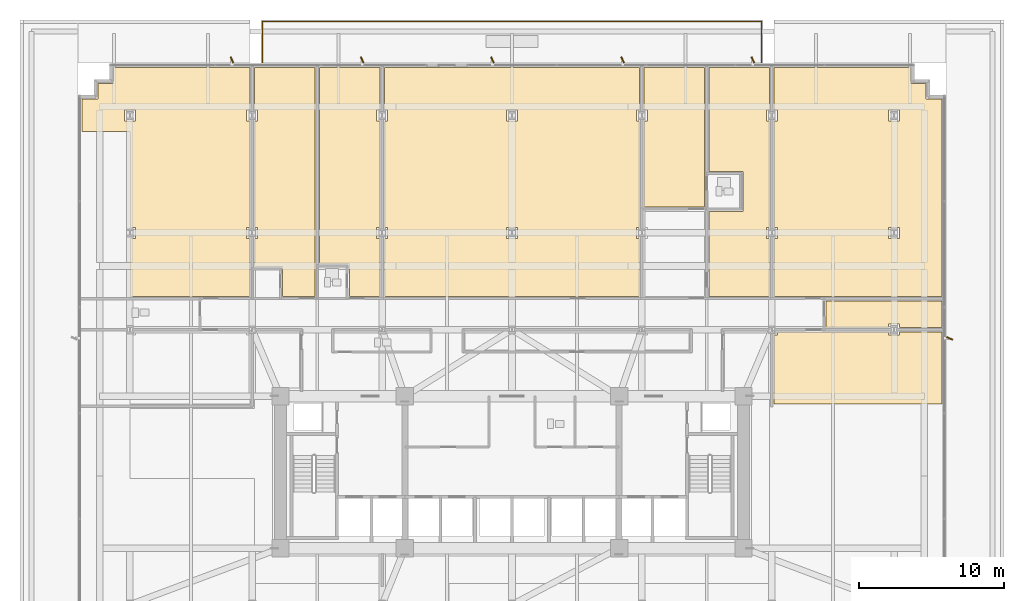
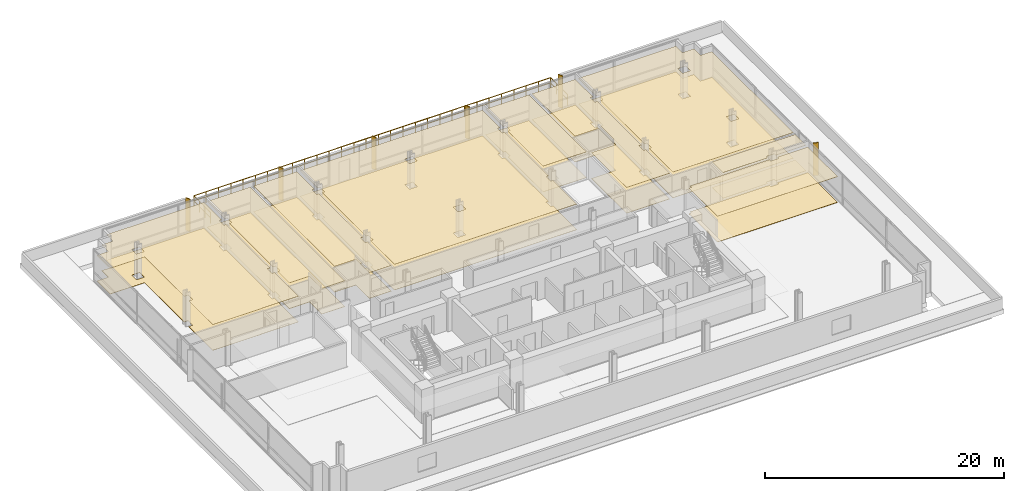
# One storey, part 24 of 25: 18 coverings, 6 shading devices, 3 railings.
"""IFC4 building model written with IfcOpenShell, lengths in metres."""

import ifcopenshell
import ifcopenshell.guid

model = None  # the IFC model being written
_history = None  # IfcOwnerHistory: only IFC2X3 demands one
_inside = {}  # id of a spatial element -> (the spatial element, [elements in it])
_under = {}  # id of a project, library or spatial element -> (it, [spatial elements below it])
_declared = {}  # id of a project -> (the project, [libraries it declares])
_typed = {}  # id of a type object -> (the type object, [elements of that type])
_made_of = {}  # id of a material, layer set ... -> (it, [elements and type objects made of it])


def new_model(schema):
    """Start an empty IFC model of exactly this schema.

    Asked for "IFC4X3", IfcOpenShell would pick the latest addendum, in which some entities
    have other attributes; the version numbers below select the first issue.
    IFC2X3 requires an IfcOwnerHistory on every rooted entity: one is made here for all.
    """
    global model, _history
    if schema == "IFC4X3":
        model = ifcopenshell.file(schema_version=(4, 3, 0, 0))
    else:
        model = ifcopenshell.file(schema=schema)
    _inside.clear()
    _under.clear()
    _declared.clear()
    _typed.clear()
    _made_of.clear()
    _history = None
    if model.schema == "IFC2X3":
        org = make("IfcOrganization", Name="unknown")
        user = make(
            "IfcPersonAndOrganization",
            ThePerson=make("IfcPerson", FamilyName="unknown"),
            TheOrganization=org,
        )
        app = make(
            "IfcApplication",
            ApplicationDeveloper=org,
            Version="unknown",
            ApplicationFullName="unknown",
            ApplicationIdentifier="unknown",
        )
        _history = make(
            "IfcOwnerHistory",
            OwningUser=user,
            OwningApplication=app,
            ChangeAction="ADDED",
            CreationDate=0,
        )
    return model


def make(cls, **values):
    """One entity of the class cls with the attributes given. An attribute that is None is left unset."""
    return model.create_entity(
        cls, **{name: value for name, value in values.items() if value is not None}
    )


def rooted(cls, **values):
    """An entity with a GlobalId (a new one), such as an element, a storey or a relation."""
    return make(cls, GlobalId=ifcopenshell.guid.new(), OwnerHistory=_history, **values)


def si_unit(unit_type, name, prefix=None):
    """IfcSIUnit, for example si_unit("LENGTHUNIT", "METRE", prefix="MILLI")."""
    return make("IfcSIUnit", UnitType=unit_type, Prefix=prefix, Name=name)


def assignment(units):
    """IfcUnitAssignment: the units of a project."""
    return None if units is None else make("IfcUnitAssignment", Units=units)


def point(xyz):
    """IfcCartesianPoint."""
    return None if xyz is None else make("IfcCartesianPoint", Coordinates=xyz)


def direction(xyz):
    """IfcDirection."""
    return None if xyz is None else make("IfcDirection", DirectionRatios=xyz)


def frame(location, z_axis=None, x_axis=None):
    """IfcAxis2Placement3D, a coordinate frame: its origin and axes. An axis left out is left unset."""
    return make(
        "IfcAxis2Placement3D",
        Location=point(location),
        Axis=direction(z_axis),
        RefDirection=direction(x_axis),
    )


def frame_2d(location, x_axis=None):
    """IfcAxis2Placement2D, a coordinate frame in the plane: its origin and x axis."""
    return make(
        "IfcAxis2Placement2D", Location=point(location), RefDirection=direction(x_axis)
    )


def origin():
    """The frame at (0, 0, 0) with its axes left unset."""
    return frame((0.0, 0.0, 0.0))


def origin_2d():
    """The frame at (0, 0) in the plane with its x axis left unset."""
    return frame_2d((0.0, 0.0))


def place(relative_to, where):
    """IfcLocalPlacement: puts the frame where relative to a parent placement (None: the world)."""
    return make(
        "IfcLocalPlacement", PlacementRelTo=relative_to, RelativePlacement=where
    )


def context(
    kind, dimensions, precision=None, world=None, true_north=None, identifier=None
):
    """IfcGeometricRepresentationContext, for example the 3D "Model" context."""
    return make(
        "IfcGeometricRepresentationContext",
        ContextIdentifier=identifier,
        ContextType=kind,
        CoordinateSpaceDimension=dimensions,
        Precision=precision,
        WorldCoordinateSystem=world,
        TrueNorth=true_north,
    )


def subcontext(parent, identifier, kind, view, scale=None):
    """IfcGeometricRepresentationSubContext, for example "Body" below "Model"."""
    return make(
        "IfcGeometricRepresentationSubContext",
        ContextIdentifier=identifier,
        ContextType=kind,
        ParentContext=parent,
        TargetScale=scale,
        TargetView=view,
    )


def project(units=None, contexts=None):
    """IfcProject with its units and contexts."""
    return rooted(
        "IfcProject",
        Name="project",
        RepresentationContexts=contexts,
        UnitsInContext=assignment(units),
    )


def spatial(cls, under=None, at=None, **own):
    """A site, building, storey or space (cls), placed at a placement, below another one or the project."""
    s = rooted(cls, ObjectPlacement=at, **own)
    if under is not None:
        _under.setdefault(under.id(), (under, []))[1].append(s)
    return s


def polyline(points):
    """IfcPolyline through the points."""
    return make("IfcPolyline", Points=[point(p) for p in points])


def profile(cls, at=None, kind="AREA", **sizes):
    """A parametric profile (cls). Its sizes go by their IFC names, for example OverallWidth=200.0."""
    return make(cls, ProfileType=kind, Position=at, **sizes)


def rectangle(**sizes):
    """IfcRectangleProfileDef."""
    return profile("IfcRectangleProfileDef", **sizes)


def circle(**sizes):
    """IfcCircleProfileDef."""
    return profile("IfcCircleProfileDef", **sizes)


def outline(outer, holes=None, kind="AREA"):
    """IfcArbitraryClosedProfileDef: a profile drawn as a closed curve; with holes, ...WithVoids."""
    if holes is None:
        return make("IfcArbitraryClosedProfileDef", ProfileType=kind, OuterCurve=outer)
    return make(
        "IfcArbitraryProfileDefWithVoids",
        ProfileType=kind,
        OuterCurve=outer,
        InnerCurves=holes,
    )


def extrude(swept, where, along, depth):
    """IfcExtrudedAreaSolid: the profile swept, set in the frame where, extruded along a direction by depth."""
    return make(
        "IfcExtrudedAreaSolid",
        SweptArea=swept,
        Position=where,
        ExtrudedDirection=direction(along),
        Depth=depth,
    )


def shape(context_of_items, identifier, shape_type, items):
    """IfcShapeRepresentation: the items that make up one representation, for example the "Body"."""
    return make(
        "IfcShapeRepresentation",
        ContextOfItems=context_of_items,
        RepresentationIdentifier=identifier,
        RepresentationType=shape_type,
        Items=items,
    )


def material(Name=None, Category=None):
    """IfcMaterial."""
    return make("IfcMaterial", Name=Name, Category=Category)


def layer(
    of_material, thickness, ventilated=None, Name=None, Category=None, Priority=None
):
    """IfcMaterialLayer: one layer of a wall or slab, of a material (None: an air gap)."""
    return make(
        "IfcMaterialLayer",
        Material=of_material,
        LayerThickness=thickness,
        IsVentilated=ventilated,
        Name=Name,
        Category=Category,
        Priority=Priority,
    )


def layer_set(layers, Name=None):
    """IfcMaterialLayerSet."""
    return make("IfcMaterialLayerSet", MaterialLayers=layers, LayerSetName=Name)


def made_of(thing, what):
    """Note that an element or type object is made of a material, layer set ...; save() writes the relation."""
    if what is not None:
        _made_of.setdefault(what.id(), (what, []))[1].append(thing)
    return thing


def type_object(cls, material=None, **own):
    """A type object (cls), such as IfcWallType, which elements share."""
    return made_of(rooted(cls, **own), material)


def element(
    cls,
    number,
    at=None,
    inside=None,
    cuts=None,
    type_object=None,
    material=None,
    context=None,
    identifier="Body",
    shape_type=None,
    held_by="IfcProductDefinitionShape",
    body=None,
    shapes=None,
    **own,
):
    """One element of the class cls, such as IfcWall. Its Tag is "e" and its number.

    at: its placement. inside: the storey or other place that contains it. cuts: it is an
    opening in that element (IfcRelVoidsElement). A single representation is given by context,
    identifier, shape_type and body (its items); several are given by shapes. held_by: the class
    of the entity that holds the representations. save() writes the other relations.
    """
    e = rooted(cls, Tag="e%d" % number, ObjectPlacement=at, **own)
    if body is not None:
        shapes = [shape(context, identifier, shape_type, body)]
    if shapes is not None:
        e.Representation = make(held_by, Representations=shapes)
    if inside is not None:
        _inside.setdefault(inside.id(), (inside, []))[1].append(e)
    if cuts is not None:
        rooted(
            "IfcRelVoidsElement", RelatingBuildingElement=cuts, RelatedOpeningElement=e
        )
    if type_object is not None:
        _typed.setdefault(type_object.id(), (type_object, []))[1].append(e)
    return made_of(e, material)


def aggregate(whole, parts):
    """IfcRelAggregates: a whole, such as a stair, and the parts it consists of."""
    return rooted("IfcRelAggregates", RelatingObject=whole, RelatedObjects=parts)


def save(model, path):
    """Write the relations noted so far, then the file.

    IfcRelAggregates (storeys below a building ...), IfcRelContainedInSpatialStructure (elements
    in a storey), IfcRelDefinesByType, IfcRelAssociatesMaterial and IfcRelDeclares: one each for
    every whole, place, type object, material and project.
    """
    for whole, parts in _under.values():
        aggregate(whole, parts)
    for where, things in _inside.values():
        rooted(
            "IfcRelContainedInSpatialStructure",
            RelatedElements=things,
            RelatingStructure=where,
        )
    for kind, things in _typed.values():
        rooted("IfcRelDefinesByType", RelatedObjects=things, RelatingType=kind)
    for what, things in _made_of.values():
        rooted("IfcRelAssociatesMaterial", RelatedObjects=things, RelatingMaterial=what)
    for by, libraries in _declared.values():
        rooted("IfcRelDeclares", RelatingContext=by, RelatedDefinitions=libraries)
    model.write(path)


model = new_model("IFC4")

# Units and contexts
model_context = context("Model", 3, precision=1e-05, world=origin(), true_north=direction((0.0, 1.0)))
body_context = subcontext(model_context, "Body", "Model", "MODEL_VIEW")
ifc_project = project(units=[si_unit("LENGTHUNIT", "METRE"), si_unit("AREAUNIT", "SQUARE_METRE"), si_unit("VOLUMEUNIT", "CUBIC_METRE"), si_unit("PLANEANGLEUNIT", "RADIAN"), si_unit("MASSUNIT", "GRAM", prefix="KILO")], contexts=[model_context])

# Site, building, storey
site_placement = place(None, origin())
site = spatial("IfcSite", under=ifc_project, at=site_placement, CompositionType="ELEMENT")
building_placement = place(site_placement, origin())
building = spatial("IfcBuilding", under=site, at=building_placement, Name="Solmavex Isthmus Hotel", CompositionType="ELEMENT")
storey_placement = place(building_placement, frame((0.0, 0.0, 26.39990234375)))
storey = spatial("IfcBuildingStorey", under=building, at=storey_placement, Name="L06", CompositionType="ELEMENT", Elevation=26.39990234375)

# Coverings
ifc_material_1 = material(Name="Gypsum plasterboard lining", Category="gypsum")
ifc_layer_1 = layer(ifc_material_1, 0.030029296875)
ifc_layer_set_1 = layer_set([ifc_layer_1], Name="Gypsum plasterboard lining")
covering_type_1 = type_object("IfcCoveringType", Name="COV-CEIL-GYP", PredefinedType="CEILING", material=ifc_layer_set_1)
covering_1_placement = place(storey_placement, frame((0.0, 0.0, 2.6201171875)))
element("IfcCovering", 1, at=covering_1_placement, inside=storey, type_object=covering_type_1, Name="Suspended Acoustic Ceiling L06-RM01", PredefinedType="CEILING", context=body_context, shape_type="SweptSolid", body=[
    extrude(outline(polyline([(-21.70703125, 4.385009765625), (-21.70703125, 4.405029296875), (-18.10693359375, 4.405029296875), (-18.10693359375, 8.407958984375), (-18.33203125, 8.407958984375), (-18.33203125, 9.16796875), (-18.10693359375, 9.16796875), (-18.10693359375, 16.52001953125), (-18.33203125, 16.52001953125), (-18.33203125, 17.280029296875), (-18.10693359375, 17.280029296875), (-18.10693359375, 20.22509765625), (-27.52490234375, 20.22509765625), (-27.52490234375, 19.125), (-28.625, 19.125), (-28.625, 18.02490234375), (-29.72509765625, 18.02490234375), (-29.72509765625, 15.800048828125), (-26.39990234375, 15.800048828125), (-26.39990234375, 9.16796875), (-26.02001953125, 9.16796875), (-26.02001953125, 8.407958984375), (-26.39990234375, 8.407958984375), (-26.39990234375, 4.385009765625), (-21.70703125, 4.385009765625)]), holes=[polyline([(-26.780029296875, 17.280029296875), (-26.02001953125, 17.280029296875), (-26.02001953125, 16.52001953125), (-26.780029296875, 16.52001953125), (-26.780029296875, 17.280029296875)])]), origin(), (0.0, 0.0, 1.0), 0.030029296875),
])
covering_2_placement = place(storey_placement, frame((0.0, 0.0, 2.6201171875)))
element("IfcCovering", 2, at=covering_2_placement, inside=storey, type_object=covering_type_1, Name="Suspended Acoustic Ceiling L06-RM02", PredefinedType="CEILING", context=body_context, shape_type="SweptSolid", body=[
    extrude(outline(polyline([(-17.797119140625, 9.16796875), (-17.572021484375, 9.16796875), (-17.572021484375, 8.407958984375), (-17.797119140625, 8.407958984375), (-17.797119140625, 6.455078125), (-15.846923828125, 6.455078125), (-15.846923828125, 4.405029296875), (-13.618896484375, 4.405029296875), (-13.618896484375, 20.22509765625), (-17.797119140625, 20.22509765625), (-17.797119140625, 17.280029296875), (-17.572021484375, 17.280029296875), (-17.572021484375, 16.52001953125), (-17.797119140625, 16.52001953125), (-17.797119140625, 9.16796875)])), origin(), (0.0, 0.0, 1.0), 0.030029296875),
])
covering_3_placement = place(storey_placement, frame((0.0, 0.0, 2.6201171875)))
element("IfcCovering", 3, at=covering_3_placement, inside=storey, type_object=covering_type_1, Name="Suspended Acoustic Ceiling L06-RM03", PredefinedType="CEILING", context=body_context, shape_type="SweptSolid", body=[
    extrude(outline(polyline([(-9.131103515625, 16.52001953125), (-9.35595703125, 16.52001953125), (-9.35595703125, 17.280029296875), (-9.131103515625, 17.280029296875), (-9.131103515625, 20.22509765625), (-13.30908203125, 20.22509765625), (-13.30908203125, 6.655029296875), (-11.24462890625, 6.655029296875), (-11.24462890625, 4.405029296875), (-9.131103515625, 4.405029296875), (-9.131103515625, 8.407958984375), (-9.35595703125, 8.407958984375), (-9.35595703125, 9.16796875), (-9.131103515625, 9.16796875), (-9.131103515625, 16.52001953125)])), origin(), (0.0, 0.0, 1.0), 0.030029296875),
])
covering_4_placement = place(storey_placement, frame((0.0, 0.0, 2.6201171875)))
element("IfcCovering", 4, at=covering_4_placement, inside=storey, type_object=covering_type_1, Name="Suspended Acoustic Ceiling L06-RM04", PredefinedType="CEILING", context=body_context, shape_type="SweptSolid", body=[
    extrude(outline(polyline([(-8.821044921875, 9.16796875), (-8.595947265625, 9.16796875), (-8.595947265625, 8.407958984375), (-8.821044921875, 8.407958984375), (-8.821044921875, 4.405029296875), (8.821044921875, 4.405029296875), (8.821044921875, 8.407958984375), (8.595947265625, 8.407958984375), (8.595947265625, 9.16796875), (8.821044921875, 9.16796875), (8.821044921875, 16.52001953125), (8.595947265625, 16.52001953125), (8.595947265625, 17.280029296875), (8.821044921875, 17.280029296875), (8.821044921875, 20.22509765625), (-8.821044921875, 20.22509765625), (-8.821044921875, 17.280029296875), (-8.595947265625, 17.280029296875), (-8.595947265625, 16.52001953125), (-8.821044921875, 16.52001953125), (-8.821044921875, 9.16796875)]), holes=[polyline([(-0.3798828125, 8.407958984375), (-0.3798828125, 9.16796875), (0.3798828125, 9.16796875), (0.3798828125, 8.407958984375), (-0.3798828125, 8.407958984375)]), polyline([(-0.3798828125, 17.280029296875), (0.3798828125, 17.280029296875), (0.3798828125, 16.52001953125), (-0.3798828125, 16.52001953125), (-0.3798828125, 17.280029296875)])]), origin(), (0.0, 0.0, 1.0), 0.030029296875),
])
covering_5_placement = place(storey_placement, frame((0.0, 0.0, 2.6201171875)))
element("IfcCovering", 5, at=covering_5_placement, inside=storey, type_object=covering_type_1, Name="Suspended Acoustic Ceiling L06-SL05-BD", PredefinedType="CEILING", context=body_context, shape_type="SweptSolid", body=[
    extrude(outline(polyline([(9.131103515625, 17.280029296875), (9.35595703125, 17.280029296875), (9.35595703125, 16.52001953125), (9.131103515625, 16.52001953125), (9.131103515625, 10.593017578125), (13.30908203125, 10.593017578125), (13.30908203125, 20.22509765625), (9.131103515625, 20.22509765625), (9.131103515625, 17.280029296875)])), origin(), (0.0, 0.0, 1.0), 0.030029296875),
])
covering_6_placement = place(storey_placement, frame((0.0, 0.0, 2.6201171875)))
element("IfcCovering", 6, at=covering_6_placement, inside=storey, type_object=covering_type_1, Name="Suspended Acoustic Ceiling L06-SV05", PredefinedType="CEILING", context=body_context, shape_type="SweptSolid", body=[
    extrude(outline(polyline([(17.797119140625, 16.52001953125), (17.572021484375, 16.52001953125), (17.572021484375, 17.280029296875), (17.797119140625, 17.280029296875), (17.797119140625, 20.22509765625), (13.618896484375, 20.22509765625), (13.618896484375, 13.04296875), (15.968994140625, 13.04296875), (15.968994140625, 10.282958984375), (13.618896484375, 10.282958984375), (13.618896484375, 4.405029296875), (17.797119140625, 4.405029296875), (17.797119140625, 8.407958984375), (17.572021484375, 8.407958984375), (17.572021484375, 9.16796875), (17.797119140625, 9.16796875), (17.797119140625, 16.52001953125)])), origin(), (0.0, 0.0, 1.0), 0.030029296875),
])
covering_7_placement = place(storey_placement, frame((0.0, 0.0, 2.6201171875)))
element("IfcCovering", 7, at=covering_7_placement, inside=storey, type_object=covering_type_1, Name="Suspended Acoustic Ceiling L06-RM06", PredefinedType="CEILING", context=body_context, shape_type="SweptSolid", body=[
    extrude(outline(polyline([(18.10693359375, 9.16796875), (18.33203125, 9.16796875), (18.33203125, 8.407958984375), (18.10693359375, 8.407958984375), (18.10693359375, 4.405029296875), (21.70703125, 4.405029296875), (21.70703125, 4.385009765625), (29.72509765625, 4.385009765625), (29.72509765625, 18.02490234375), (28.625, 18.02490234375), (28.625, 19.125), (27.52490234375, 19.125), (27.52490234375, 20.22509765625), (18.10693359375, 20.22509765625), (18.10693359375, 17.280029296875), (18.33203125, 17.280029296875), (18.33203125, 16.52001953125), (18.10693359375, 16.52001953125), (18.10693359375, 9.16796875)]), holes=[polyline([(26.02001953125, 8.407958984375), (26.02001953125, 9.16796875), (26.780029296875, 9.16796875), (26.780029296875, 8.407958984375), (26.02001953125, 8.407958984375)]), polyline([(26.02001953125, 16.52001953125), (26.02001953125, 17.280029296875), (26.780029296875, 17.280029296875), (26.780029296875, 16.52001953125), (26.02001953125, 16.52001953125)])]), origin(), (0.0, 0.0, 1.0), 0.030029296875),
])
covering_8_placement = place(storey_placement, frame((0.0, 0.0, 2.6201171875)))
element("IfcCovering", 8, at=covering_8_placement, inside=storey, type_object=covering_type_1, Name="Suspended Acoustic Ceiling L06-FL09", PredefinedType="CEILING", context=body_context, shape_type="SweptSolid", body=[
    extrude(outline(polyline([(26.02001953125, 2.2548828125), (26.02001953125, 2.47998046875), (26.780029296875, 2.47998046875), (26.780029296875, 2.2548828125), (29.72509765625, 2.2548828125), (29.72509765625, 4.074951171875), (21.70703125, 4.074951171875), (21.70703125, 2.2548828125), (26.02001953125, 2.2548828125)])), origin(), (0.0, 0.0, 1.0), 0.030029296875),
])
covering_9_placement = place(storey_placement, frame((0.0, 0.0, 2.6201171875)))
element("IfcCovering", 9, at=covering_9_placement, inside=storey, type_object=covering_type_1, Name="Suspended Acoustic Ceiling L06-FL12", PredefinedType="CEILING", context=body_context, shape_type="SweptSolid", body=[
    extrude(outline(polyline([(26.780029296875, 1.945068359375), (26.780029296875, 1.719970703125), (26.02001953125, 1.719970703125), (26.02001953125, 1.945068359375), (18.33203125, 1.945068359375), (18.33203125, 1.719970703125), (18.10693359375, 1.719970703125), (18.10693359375, -3.044921875), (29.72509765625, -3.044921875), (29.72509765625, 1.945068359375), (26.780029296875, 1.945068359375)])), origin(), (0.0, 0.0, 1.0), 0.030029296875),
])
ifc_material_2 = material(Name="Travertine natural stone", Category="masonry")
ifc_layer_2 = layer(ifc_material_2, 0.02490234375)
ifc_layer_set_2 = layer_set([ifc_layer_2], Name="Travertine natural stone")
covering_type_2 = type_object("IfcCoveringType", Name="COV-FLOR-STN", PredefinedType="FLOORING", material=ifc_layer_set_2)
covering_10_placement = place(storey_placement, origin())
element("IfcCovering", 10, at=covering_10_placement, inside=storey, type_object=covering_type_2, Name="Stone and Timber Floor Finish L06-RM01", PredefinedType="FLOORING", context=body_context, shape_type="SweptSolid", body=[
    extrude(outline(polyline([(-21.70703125, 4.385009765625), (-21.70703125, 4.405029296875), (-18.10693359375, 4.405029296875), (-18.10693359375, 8.407958984375), (-18.33203125, 8.407958984375), (-18.33203125, 9.16796875), (-18.10693359375, 9.16796875), (-18.10693359375, 16.52001953125), (-18.33203125, 16.52001953125), (-18.33203125, 17.280029296875), (-18.10693359375, 17.280029296875), (-18.10693359375, 20.22509765625), (-27.52490234375, 20.22509765625), (-27.52490234375, 19.125), (-28.625, 19.125), (-28.625, 18.02490234375), (-29.72509765625, 18.02490234375), (-29.72509765625, 15.800048828125), (-26.39990234375, 15.800048828125), (-26.39990234375, 9.16796875), (-26.02001953125, 9.16796875), (-26.02001953125, 8.407958984375), (-26.39990234375, 8.407958984375), (-26.39990234375, 4.385009765625), (-21.70703125, 4.385009765625)]), holes=[polyline([(-26.780029296875, 17.280029296875), (-26.02001953125, 17.280029296875), (-26.02001953125, 16.52001953125), (-26.780029296875, 16.52001953125), (-26.780029296875, 17.280029296875)])]), origin(), (0.0, 0.0, 1.0), 0.025146484375),
])
covering_11_placement = place(storey_placement, origin())
element("IfcCovering", 11, at=covering_11_placement, inside=storey, type_object=covering_type_2, Name="Stone and Timber Floor Finish L06-RM02", PredefinedType="FLOORING", context=body_context, shape_type="SweptSolid", body=[
    extrude(outline(polyline([(-17.797119140625, 9.16796875), (-17.572021484375, 9.16796875), (-17.572021484375, 8.407958984375), (-17.797119140625, 8.407958984375), (-17.797119140625, 6.455078125), (-15.846923828125, 6.455078125), (-15.846923828125, 4.405029296875), (-13.618896484375, 4.405029296875), (-13.618896484375, 20.22509765625), (-17.797119140625, 20.22509765625), (-17.797119140625, 17.280029296875), (-17.572021484375, 17.280029296875), (-17.572021484375, 16.52001953125), (-17.797119140625, 16.52001953125), (-17.797119140625, 9.16796875)])), origin(), (0.0, 0.0, 1.0), 0.025146484375),
])
covering_12_placement = place(storey_placement, origin())
element("IfcCovering", 12, at=covering_12_placement, inside=storey, type_object=covering_type_2, Name="Stone and Timber Floor Finish L06-RM03", PredefinedType="FLOORING", context=body_context, shape_type="SweptSolid", body=[
    extrude(outline(polyline([(-9.131103515625, 16.52001953125), (-9.35595703125, 16.52001953125), (-9.35595703125, 17.280029296875), (-9.131103515625, 17.280029296875), (-9.131103515625, 20.22509765625), (-13.30908203125, 20.22509765625), (-13.30908203125, 6.655029296875), (-11.24462890625, 6.655029296875), (-11.24462890625, 4.405029296875), (-9.131103515625, 4.405029296875), (-9.131103515625, 8.407958984375), (-9.35595703125, 8.407958984375), (-9.35595703125, 9.16796875), (-9.131103515625, 9.16796875), (-9.131103515625, 16.52001953125)])), origin(), (0.0, 0.0, 1.0), 0.025146484375),
])
covering_13_placement = place(storey_placement, origin())
element("IfcCovering", 13, at=covering_13_placement, inside=storey, type_object=covering_type_2, Name="Stone and Timber Floor Finish L06-RM04", PredefinedType="FLOORING", context=body_context, shape_type="SweptSolid", body=[
    extrude(outline(polyline([(-8.821044921875, 9.16796875), (-8.595947265625, 9.16796875), (-8.595947265625, 8.407958984375), (-8.821044921875, 8.407958984375), (-8.821044921875, 4.405029296875), (8.821044921875, 4.405029296875), (8.821044921875, 8.407958984375), (8.595947265625, 8.407958984375), (8.595947265625, 9.16796875), (8.821044921875, 9.16796875), (8.821044921875, 16.52001953125), (8.595947265625, 16.52001953125), (8.595947265625, 17.280029296875), (8.821044921875, 17.280029296875), (8.821044921875, 20.22509765625), (-8.821044921875, 20.22509765625), (-8.821044921875, 17.280029296875), (-8.595947265625, 17.280029296875), (-8.595947265625, 16.52001953125), (-8.821044921875, 16.52001953125), (-8.821044921875, 9.16796875)]), holes=[polyline([(-0.3798828125, 8.407958984375), (-0.3798828125, 9.16796875), (0.3798828125, 9.16796875), (0.3798828125, 8.407958984375), (-0.3798828125, 8.407958984375)]), polyline([(-0.3798828125, 17.280029296875), (0.3798828125, 17.280029296875), (0.3798828125, 16.52001953125), (-0.3798828125, 16.52001953125), (-0.3798828125, 17.280029296875)])]), origin(), (0.0, 0.0, 1.0), 0.025146484375),
])
covering_14_placement = place(storey_placement, origin())
element("IfcCovering", 14, at=covering_14_placement, inside=storey, type_object=covering_type_2, Name="Stone and Timber Floor Finish L06-SL05-BD", PredefinedType="FLOORING", context=body_context, shape_type="SweptSolid", body=[
    extrude(outline(polyline([(9.131103515625, 17.280029296875), (9.35595703125, 17.280029296875), (9.35595703125, 16.52001953125), (9.131103515625, 16.52001953125), (9.131103515625, 10.593017578125), (13.30908203125, 10.593017578125), (13.30908203125, 20.22509765625), (9.131103515625, 20.22509765625), (9.131103515625, 17.280029296875)])), origin(), (0.0, 0.0, 1.0), 0.025146484375),
])
covering_15_placement = place(storey_placement, origin())
element("IfcCovering", 15, at=covering_15_placement, inside=storey, type_object=covering_type_2, Name="Stone and Timber Floor Finish L06-SV05", PredefinedType="FLOORING", context=body_context, shape_type="SweptSolid", body=[
    extrude(outline(polyline([(17.797119140625, 16.52001953125), (17.572021484375, 16.52001953125), (17.572021484375, 17.280029296875), (17.797119140625, 17.280029296875), (17.797119140625, 20.22509765625), (13.618896484375, 20.22509765625), (13.618896484375, 13.04296875), (15.968994140625, 13.04296875), (15.968994140625, 10.282958984375), (13.618896484375, 10.282958984375), (13.618896484375, 4.405029296875), (17.797119140625, 4.405029296875), (17.797119140625, 8.407958984375), (17.572021484375, 8.407958984375), (17.572021484375, 9.16796875), (17.797119140625, 9.16796875), (17.797119140625, 16.52001953125)])), origin(), (0.0, 0.0, 1.0), 0.025146484375),
])
covering_16_placement = place(storey_placement, origin())
element("IfcCovering", 16, at=covering_16_placement, inside=storey, type_object=covering_type_2, Name="Stone and Timber Floor Finish L06-RM06", PredefinedType="FLOORING", context=body_context, shape_type="SweptSolid", body=[
    extrude(outline(polyline([(18.10693359375, 9.16796875), (18.33203125, 9.16796875), (18.33203125, 8.407958984375), (18.10693359375, 8.407958984375), (18.10693359375, 4.405029296875), (21.70703125, 4.405029296875), (21.70703125, 4.385009765625), (29.72509765625, 4.385009765625), (29.72509765625, 18.02490234375), (28.625, 18.02490234375), (28.625, 19.125), (27.52490234375, 19.125), (27.52490234375, 20.22509765625), (18.10693359375, 20.22509765625), (18.10693359375, 17.280029296875), (18.33203125, 17.280029296875), (18.33203125, 16.52001953125), (18.10693359375, 16.52001953125), (18.10693359375, 9.16796875)]), holes=[polyline([(26.02001953125, 8.407958984375), (26.02001953125, 9.16796875), (26.780029296875, 9.16796875), (26.780029296875, 8.407958984375), (26.02001953125, 8.407958984375)]), polyline([(26.02001953125, 16.52001953125), (26.02001953125, 17.280029296875), (26.780029296875, 17.280029296875), (26.780029296875, 16.52001953125), (26.02001953125, 16.52001953125)])]), origin(), (0.0, 0.0, 1.0), 0.025146484375),
])
covering_17_placement = place(storey_placement, origin())
element("IfcCovering", 17, at=covering_17_placement, inside=storey, type_object=covering_type_2, Name="Stone and Timber Floor Finish L06-FL09", PredefinedType="FLOORING", context=body_context, shape_type="SweptSolid", body=[
    extrude(outline(polyline([(26.02001953125, 2.2548828125), (26.02001953125, 2.47998046875), (26.780029296875, 2.47998046875), (26.780029296875, 2.2548828125), (29.72509765625, 2.2548828125), (29.72509765625, 4.074951171875), (21.70703125, 4.074951171875), (21.70703125, 2.2548828125), (26.02001953125, 2.2548828125)])), origin(), (0.0, 0.0, 1.0), 0.025146484375),
])
covering_18_placement = place(storey_placement, origin())
element("IfcCovering", 18, at=covering_18_placement, inside=storey, type_object=covering_type_2, Name="Stone and Timber Floor Finish L06-FL12", PredefinedType="FLOORING", context=body_context, shape_type="SweptSolid", body=[
    extrude(outline(polyline([(26.780029296875, 1.945068359375), (26.780029296875, 1.719970703125), (26.02001953125, 1.719970703125), (26.02001953125, 1.945068359375), (18.33203125, 1.945068359375), (18.33203125, 1.719970703125), (18.10693359375, 1.719970703125), (18.10693359375, -3.044921875), (29.72509765625, -3.044921875), (29.72509765625, 1.945068359375), (26.780029296875, 1.945068359375)])), origin(), (0.0, 0.0, 1.0), 0.025146484375),
])

# Railings
ifc_material_3 = material(Name="Clear low-E laminated glass", Category="glass")
ifc_layer_3 = layer(ifc_material_3, 0.070068359375)
ifc_layer_set_3 = layer_set([ifc_layer_3], Name="Clear low-E laminated glass")
railing_type = type_object("IfcRailingType", Name="RAIL-GUARD-1100", PredefinedType="BALUSTRADE", material=ifc_layer_set_3)
railing_1_placement = place(storey_placement, frame((-17.25, 20.580078125, 0.0)))
element("IfcRailing", 19, at=railing_1_placement, inside=storey, type_object=railing_type, Name="Guardrail Balustrade L06-TERR1-01", PredefinedType="BALUSTRADE", context=body_context, shape_type="SweptSolid", body=[
    extrude(circle(Radius=0.02392578125, at=origin_2d()), frame((0.0, 0.0, 1.09619140625), z_axis=(0.0, 1.0, 0.0), x_axis=(-1.0, 0.0, 0.0)), (0.0, 0.0, 1.0), 2.81982421875),
    extrude(circle(Radius=0.02392578125, at=origin_2d()), frame((0.0, 0.0, 0.56005859375), z_axis=(0.0, 1.0, 0.0), x_axis=(-1.0, 0.0, 0.0)), (0.0, 0.0, 1.0), 2.81982421875),
    extrude(circle(Radius=0.02099609375, at=origin_2d()), origin(), (0.0, 0.0, 1.0), 1.072021484375),
    extrude(circle(Radius=0.02099609375, at=origin_2d()), frame((0.0, 0.93994140625, 0.0)), (0.0, 0.0, 1.0), 1.072021484375),
    extrude(circle(Radius=0.02099609375, at=origin_2d()), frame((0.0, 1.8798828125, 0.0)), (0.0, 0.0, 1.0), 1.072021484375),
    extrude(circle(Radius=0.02099609375, at=origin_2d()), frame((0.0, 2.81982421875, 0.0)), (0.0, 0.0, 1.0), 1.072021484375),
])
railing_2_placement = place(storey_placement, frame((-17.25, 23.39990234375, 0.0)))
element("IfcRailing", 20, at=railing_2_placement, inside=storey, type_object=railing_type, Name="Guardrail Balustrade L06-TERR1-02", PredefinedType="BALUSTRADE", context=body_context, shape_type="SweptSolid", body=[
    extrude(circle(Radius=0.02392578125, at=origin_2d()), frame((0.0, 0.0, 1.09619140625), z_axis=(1.0, 0.0, 0.0), x_axis=(0.0, 1.0, 0.0)), (0.0, 0.0, 1.0), 34.5),
    extrude(circle(Radius=0.02392578125, at=origin_2d()), frame((0.0, 0.0, 0.56005859375), z_axis=(1.0, 0.0, 0.0), x_axis=(0.0, 1.0, 0.0)), (0.0, 0.0, 1.0), 34.5),
    extrude(circle(Radius=0.02099609375, at=origin_2d()), origin(), (0.0, 0.0, 1.0), 1.072021484375),
    extrude(circle(Radius=0.02099609375, at=origin_2d()), frame((1.189697265625, 0.0, 0.0)), (0.0, 0.0, 1.0), 1.072021484375),
    extrude(circle(Radius=0.02099609375, at=origin_2d()), frame((2.37939453125, 0.0, 0.0)), (0.0, 0.0, 1.0), 1.072021484375),
    extrude(circle(Radius=0.02099609375, at=origin_2d()), frame((3.56884765625, 0.0, 0.0)), (0.0, 0.0, 1.0), 1.072021484375),
    extrude(circle(Radius=0.02099609375, at=origin_2d()), frame((4.758544921875, 0.0, 0.0)), (0.0, 0.0, 1.0), 1.072021484375),
    extrude(circle(Radius=0.02099609375, at=origin_2d()), frame((5.9482421875, 0.0, 0.0)), (0.0, 0.0, 1.0), 1.072021484375),
    extrude(circle(Radius=0.02099609375, at=origin_2d()), frame((7.137939453125, 0.0, 0.0)), (0.0, 0.0, 1.0), 1.072021484375),
    extrude(circle(Radius=0.02099609375, at=origin_2d()), frame((8.32763671875, 0.0, 0.0)), (0.0, 0.0, 1.0), 1.072021484375),
    extrude(circle(Radius=0.02099609375, at=origin_2d()), frame((9.517333984375, 0.0, 0.0)), (0.0, 0.0, 1.0), 1.072021484375),
    extrude(circle(Radius=0.02099609375, at=origin_2d()), frame((10.706787109375, 0.0, 0.0)), (0.0, 0.0, 1.0), 1.072021484375),
    extrude(circle(Radius=0.02099609375, at=origin_2d()), frame((11.896484375, 0.0, 0.0)), (0.0, 0.0, 1.0), 1.072021484375),
    extrude(circle(Radius=0.02099609375, at=origin_2d()), frame((13.086181640625, 0.0, 0.0)), (0.0, 0.0, 1.0), 1.072021484375),
    extrude(circle(Radius=0.02099609375, at=origin_2d()), frame((14.27587890625, 0.0, 0.0)), (0.0, 0.0, 1.0), 1.072021484375),
    extrude(circle(Radius=0.02099609375, at=origin_2d()), frame((15.465576171875, 0.0, 0.0)), (0.0, 0.0, 1.0), 1.072021484375),
    extrude(circle(Radius=0.02099609375, at=origin_2d()), frame((16.6552734375, 0.0, 0.0)), (0.0, 0.0, 1.0), 1.072021484375),
    extrude(circle(Radius=0.02099609375, at=origin_2d()), frame((17.8447265625, 0.0, 0.0)), (0.0, 0.0, 1.0), 1.072021484375),
    extrude(circle(Radius=0.02099609375, at=origin_2d()), frame((19.034423828125, 0.0, 0.0)), (0.0, 0.0, 1.0), 1.072021484375),
    extrude(circle(Radius=0.02099609375, at=origin_2d()), frame((20.22412109375, 0.0, 0.0)), (0.0, 0.0, 1.0), 1.072021484375),
    extrude(circle(Radius=0.02099609375, at=origin_2d()), frame((21.413818359375, 0.0, 0.0)), (0.0, 0.0, 1.0), 1.072021484375),
    extrude(circle(Radius=0.02099609375, at=origin_2d()), frame((22.603515625, 0.0, 0.0)), (0.0, 0.0, 1.0), 1.072021484375),
    extrude(circle(Radius=0.02099609375, at=origin_2d()), frame((23.793212890625, 0.0, 0.0)), (0.0, 0.0, 1.0), 1.072021484375),
    extrude(circle(Radius=0.02099609375, at=origin_2d()), frame((24.982666015625, 0.0, 0.0)), (0.0, 0.0, 1.0), 1.072021484375),
    extrude(circle(Radius=0.02099609375, at=origin_2d()), frame((26.17236328125, 0.0, 0.0)), (0.0, 0.0, 1.0), 1.072021484375),
    extrude(circle(Radius=0.02099609375, at=origin_2d()), frame((27.362060546875, 0.0, 0.0)), (0.0, 0.0, 1.0), 1.072021484375),
    extrude(circle(Radius=0.02099609375, at=origin_2d()), frame((28.5517578125, 0.0, 0.0)), (0.0, 0.0, 1.0), 1.072021484375),
    extrude(circle(Radius=0.02099609375, at=origin_2d()), frame((29.741455078125, 0.0, 0.0)), (0.0, 0.0, 1.0), 1.072021484375),
    extrude(circle(Radius=0.02099609375, at=origin_2d()), frame((30.93115234375, 0.0, 0.0)), (0.0, 0.0, 1.0), 1.072021484375),
    extrude(circle(Radius=0.02099609375, at=origin_2d()), frame((32.12060546875, 0.0, 0.0)), (0.0, 0.0, 1.0), 1.072021484375),
    extrude(circle(Radius=0.02099609375, at=origin_2d()), frame((33.310302734375, 0.0, 0.0)), (0.0, 0.0, 1.0), 1.072021484375),
    extrude(circle(Radius=0.02099609375, at=origin_2d()), frame((34.5, 0.0, 0.0)), (0.0, 0.0, 1.0), 1.072021484375),
])
railing_3_placement = place(storey_placement, frame((17.25, 23.39990234375, 0.0)))
element("IfcRailing", 21, at=railing_3_placement, inside=storey, type_object=railing_type, Name="Guardrail Balustrade L06-TERR1-03", PredefinedType="BALUSTRADE", context=body_context, shape_type="SweptSolid", body=[
    extrude(circle(Radius=0.02392578125, at=origin_2d()), frame((0.0, 0.0, 1.09619140625), z_axis=(0.0, -1.0, 0.0), x_axis=(1.0, 0.0, 0.0)), (0.0, 0.0, 1.0), 2.81982421875),
    extrude(circle(Radius=0.02392578125, at=origin_2d()), frame((0.0, 0.0, 0.56005859375), z_axis=(0.0, -1.0, 0.0), x_axis=(1.0, 0.0, 0.0)), (0.0, 0.0, 1.0), 2.81982421875),
    extrude(circle(Radius=0.02099609375, at=origin_2d()), origin(), (0.0, 0.0, 1.0), 1.072021484375),
    extrude(circle(Radius=0.02099609375, at=origin_2d()), frame((0.0, -0.93994140625, 0.0)), (0.0, 0.0, 1.0), 1.072021484375),
    extrude(circle(Radius=0.02099609375, at=origin_2d()), frame((0.0, -1.8798828125, 0.0)), (0.0, 0.0, 1.0), 1.072021484375),
    extrude(circle(Radius=0.02099609375, at=origin_2d()), frame((0.0, -2.81982421875, 0.0)), (0.0, 0.0, 1.0), 1.072021484375),
])

# Shading devices
ifc_material_4 = material(Name="Aluminium alloy 6063-T6", Category="aluminium")
shading_device_type = type_object("IfcShadingDeviceType", Name="SHD-FIN-BRONZE", PredefinedType="USERDEFINED", material=ifc_material_4)
for number, where, z_axis, x_axis, name in (
    (22, (-19.35009765625, 20.739990234375, -0.139892578125), (0.0, 0.0, 1.0), (-0.438371146789, 0.898794046299, 0.0), "Anodised Aluminium Solar Fin L06-N1"),
    (23, (-10.35009765625, 20.739990234375, -0.139892578125), (0.0, 0.0, 1.0), (-0.438371146789, 0.898794046299, 0.0), "Anodised Aluminium Solar Fin L06-N2"),
    (24, (-1.35009765625, 20.739990234375, -0.139892578125), (0.0, 0.0, 1.0), (-0.438371146789, 0.898794046299, 0.0), "Anodised Aluminium Solar Fin L06-N3"),
    (25, (7.64990234375, 20.739990234375, -0.139892578125), (0.0, 0.0, 1.0), (-0.438371146789, 0.898794046299, 0.0), "Anodised Aluminium Solar Fin L06-N4"),
    (26, (16.64990234375, 20.739990234375, -0.139892578125), (0.0, 0.0, 1.0), (-0.438371146789, 0.898794046299, 0.0), "Anodised Aluminium Solar Fin L06-N5"),
    (27, (30.239990234375, 1.5, -0.139892578125), (0.0, 0.0, 1.0), (0.913545457643, -0.406736643076, 0.0), "Anodised Aluminium Solar Fin L06-E1"),
):
    element("IfcShadingDevice", number, at=place(storey_placement, frame(where, z_axis=z_axis, x_axis=x_axis)), inside=storey, type_object=shading_device_type, Name=name, ObjectType="SOLAR_FIN", PredefinedType="USERDEFINED", context=body_context, shape_type="SweptSolid", body=[
        extrude(rectangle(XDim=0.449951171875, YDim=0.080078125, at=origin_2d()), origin(), (0.0, 0.0, 1.0), 3.330078125),
    ])

save(model, "model.ifc")
